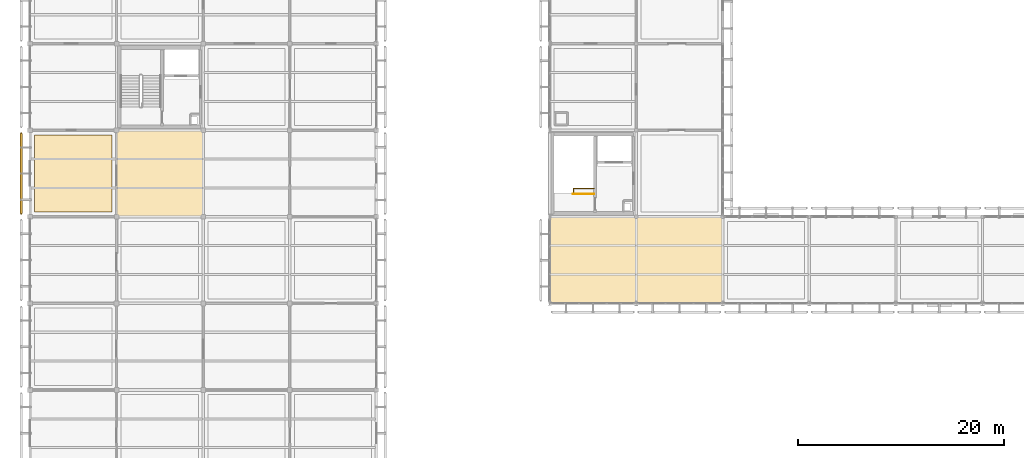
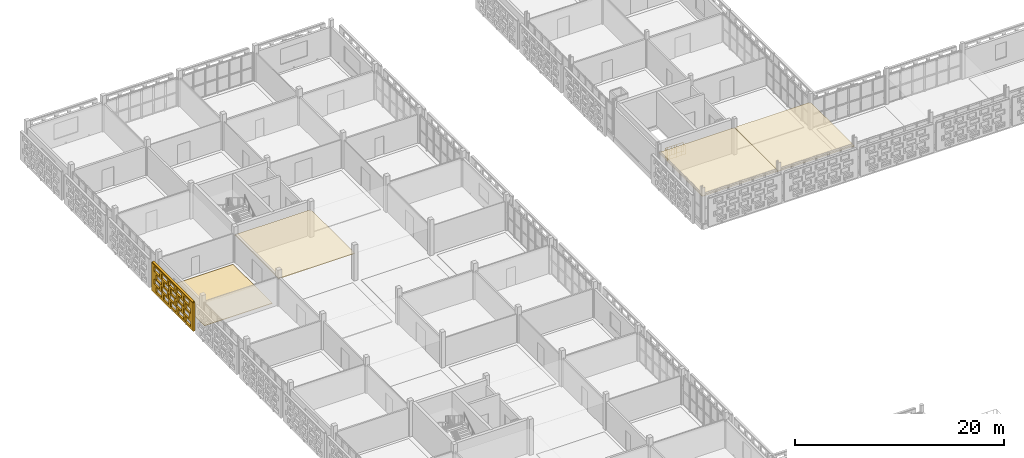
# One storey, part 110 of 140: 5 coverings, 2 railings, 1 shading device, 20 openings.
"""IFC4 building model written with IfcOpenShell, lengths in metres."""

from ifc_helpers import new_model, si_unit, direction, frame, frame_2d, origin, origin_2d, place, context, subcontext, project, spatial, rectangle, circle, extrude, material, layer, layer_set, type_object, element, save


model = new_model("IFC4")

# Units and contexts
model_context = context("Model", 3, precision=1e-05, world=origin(), true_north=direction((0.0, 1.0)))
body_context = subcontext(model_context, "Body", "Model", "MODEL_VIEW")
ifc_project = project(units=[si_unit("LENGTHUNIT", "METRE"), si_unit("AREAUNIT", "SQUARE_METRE"), si_unit("VOLUMEUNIT", "CUBIC_METRE"), si_unit("PLANEANGLEUNIT", "RADIAN"), si_unit("MASSUNIT", "GRAM", prefix="KILO")], contexts=[model_context])

# Site, building, storey
site_placement = place(None, origin())
site = spatial("IfcSite", under=ifc_project, at=site_placement, CompositionType="ELEMENT")
building_placement = place(site_placement, origin())
building = spatial("IfcBuilding", under=site, at=building_placement, Name="Varnapada Polytechnic", CompositionType="ELEMENT")
storey_placement = place(building_placement, frame((0.0, 0.0, 13.800048828125)))
storey = spatial("IfcBuildingStorey", under=building, at=storey_placement, Name="L03", CompositionType="ELEMENT", Elevation=13.800048828125)

# Covering
ifc_material_1 = material(Name="Anti-Static Raised Laboratory Flooring")
ifc_layer_1 = layer(ifc_material_1, 0.06005859375)
ifc_layer_set_1 = layer_set([ifc_layer_1], Name="Anti-Static Raised Laboratory Flooring")
covering_type_1 = type_object("IfcCoveringType", Name="Floor Finish FLR-02", PredefinedType="FLOORING", material=ifc_layer_set_1)
covering_1_placement = place(storey_placement, frame((4.199951171875, 96.60009765625, 0.0), z_axis=(0.0, 0.0, 1.0), x_axis=(1.0, 0.0, 0.0)))
element("IfcCovering", 1, at=covering_1_placement, inside=storey, type_object=covering_type_1, Name="L03 floor finish panel (1,12)", PredefinedType="FLOORING", context=body_context, shape_type="SweptSolid", body=[
    extrude(rectangle(XDim=7.5, YDim=7.5, at=origin_2d()), origin(), (0.0, 0.0, 1.0), 0.06005859375),
])

# Railings
ifc_material_2 = material(Name="Brushed Stainless Steel 316", Category="steel")
railing_type = type_object("IfcRailingType", Name="Stair Well Guard Rail SGR-01", PredefinedType="BALUSTRADE", material=ifc_material_2)
railing_1_placement = place(storey_placement, frame((54.699951171875, 94.60009765625, 0.0)))
element("IfcRailing", 2, at=railing_1_placement, inside=storey, type_object=railing_type, Name="L03 ST-4 top well guard 1", PredefinedType="BALUSTRADE", context=body_context, shape_type="SweptSolid", body=[
    extrude(circle(Radius=0.02392578125, at=origin_2d()), frame((0.0, 0.0, 1.09619140625), z_axis=(-1.0, 0.0, 0.0), x_axis=(0.0, -1.0, 0.0)), (0.0, 0.0, 1.0), 2.050048828125),
    extrude(circle(Radius=0.02392578125, at=origin_2d()), frame((0.0, 0.0, 0.10009765625), z_axis=(-1.0, 0.0, 0.0), x_axis=(0.0, -1.0, 0.0)), (0.0, 0.0, 1.0), 2.050048828125),
    extrude(circle(Radius=0.02099609375, at=origin_2d()), origin(), (0.0, 0.0, 1.0), 1.072021484375),
    extrude(circle(Radius=0.02099609375, at=origin_2d()), frame((-1.02490234375, 0.0, 0.0)), (0.0, 0.0, 1.0), 1.072021484375),
    extrude(circle(Radius=0.02099609375, at=origin_2d()), frame((-2.050048828125, 0.0, 0.0)), (0.0, 0.0, 1.0), 1.072021484375),
    extrude(circle(Radius=0.010009765625, at=origin_2d()), frame((-0.25634765625, 0.0, 0.10009765625)), (0.0, 0.0, 1.0), 0.971923828125),
    extrude(circle(Radius=0.010009765625, at=origin_2d()), frame((-0.512451171875, 0.0, 0.10009765625)), (0.0, 0.0, 1.0), 0.971923828125),
    extrude(circle(Radius=0.010009765625, at=origin_2d()), frame((-0.768798828125, 0.0, 0.10009765625)), (0.0, 0.0, 1.0), 0.971923828125),
    extrude(circle(Radius=0.010009765625, at=origin_2d()), frame((-1.02490234375, 0.0, 0.10009765625)), (0.0, 0.0, 1.0), 0.971923828125),
    extrude(circle(Radius=0.010009765625, at=origin_2d()), frame((-1.28125, 0.0, 0.10009765625)), (0.0, 0.0, 1.0), 0.971923828125),
    extrude(circle(Radius=0.010009765625, at=origin_2d()), frame((-1.53759765625, 0.0, 0.10009765625)), (0.0, 0.0, 1.0), 0.971923828125),
    extrude(circle(Radius=0.010009765625, at=origin_2d()), frame((-1.793701171875, 0.0, 0.10009765625)), (0.0, 0.0, 1.0), 0.971923828125),
])
railing_2_placement = place(storey_placement, frame((52.699951171875, 94.64990234375, 0.0)))
element("IfcRailing", 3, at=railing_2_placement, inside=storey, type_object=railing_type, Name="L03 C4 top stair-well guard", PredefinedType="BALUSTRADE", context=body_context, shape_type="SweptSolid", body=[
    extrude(circle(Radius=0.02392578125, at=origin_2d()), frame((0.0, 0.0, 1.09619140625), z_axis=(0.0, 1.0, 0.0), x_axis=(-1.0, 0.0, 0.0)), (0.0, 0.0, 1.0), 0.489990234375),
    extrude(circle(Radius=0.02392578125, at=origin_2d()), frame((0.0, 0.0, 0.10009765625), z_axis=(0.0, 1.0, 0.0), x_axis=(-1.0, 0.0, 0.0)), (0.0, 0.0, 1.0), 0.489990234375),
    extrude(circle(Radius=0.02392578125, at=origin_2d()), frame((0.0, 0.489990234375, 1.09619140625), z_axis=(1.0, 0.0, 0.0), x_axis=(0.0, 1.0, 0.0)), (0.0, 0.0, 1.0), 2.0),
    extrude(circle(Radius=0.02392578125, at=origin_2d()), frame((0.0, 0.489990234375, 0.10009765625), z_axis=(1.0, 0.0, 0.0), x_axis=(0.0, 1.0, 0.0)), (0.0, 0.0, 1.0), 2.0),
    extrude(circle(Radius=0.02099609375, at=origin_2d()), origin(), (0.0, 0.0, 1.0), 1.072021484375),
    extrude(circle(Radius=0.02099609375, at=origin_2d()), frame((0.0, 0.489990234375, 0.0)), (0.0, 0.0, 1.0), 1.072021484375),
    extrude(circle(Radius=0.02099609375, at=origin_2d()), frame((1.0, 0.489990234375, 0.0)), (0.0, 0.0, 1.0), 1.072021484375),
    extrude(circle(Radius=0.02099609375, at=origin_2d()), frame((2.0, 0.489990234375, 0.0)), (0.0, 0.0, 1.0), 1.072021484375),
    extrude(circle(Radius=0.010009765625, at=origin_2d()), frame((0.0, 0.2451171875, 0.10009765625)), (0.0, 0.0, 1.0), 0.971923828125),
    extrude(circle(Radius=0.010009765625, at=origin_2d()), frame((0.25, 0.489990234375, 0.10009765625)), (0.0, 0.0, 1.0), 0.971923828125),
    extrude(circle(Radius=0.010009765625, at=origin_2d()), frame((0.5, 0.489990234375, 0.10009765625)), (0.0, 0.0, 1.0), 0.971923828125),
    extrude(circle(Radius=0.010009765625, at=origin_2d()), frame((0.75, 0.489990234375, 0.10009765625)), (0.0, 0.0, 1.0), 0.971923828125),
    extrude(circle(Radius=0.010009765625, at=origin_2d()), frame((1.0, 0.489990234375, 0.10009765625)), (0.0, 0.0, 1.0), 0.971923828125),
    extrude(circle(Radius=0.010009765625, at=origin_2d()), frame((1.25, 0.489990234375, 0.10009765625)), (0.0, 0.0, 1.0), 0.971923828125),
    extrude(circle(Radius=0.010009765625, at=origin_2d()), frame((1.5, 0.489990234375, 0.10009765625)), (0.0, 0.0, 1.0), 0.971923828125),
    extrude(circle(Radius=0.010009765625, at=origin_2d()), frame((1.75, 0.489990234375, 0.10009765625)), (0.0, 0.0, 1.0), 0.971923828125),
])

# Coverings
ifc_material_3 = material(Name="Moisture-Resistant Aluminum Baffle Ceiling", Category="aluminium")
ifc_layer_2 = layer(ifc_material_3, 0.030029296875)
ifc_layer_set_2 = layer_set([ifc_layer_2], Name="Moisture-Resistant Aluminum Baffle Ceiling")
covering_type_2 = type_object("IfcCoveringType", Name="Suspended Ceiling CLG-03", PredefinedType="CEILING", material=ifc_layer_set_2)
covering_2_placement = place(storey_placement, frame((54.60009765625, 88.199951171875, 3.03515625), z_axis=(0.0, 0.0, 1.0), x_axis=(1.0, 0.0, 0.0)))
element("IfcCovering", 4, at=covering_2_placement, inside=storey, type_object=covering_type_2, Name="L03 suspended acoustic ceiling (7,11)", PredefinedType="CEILING", context=body_context, shape_type="SweptSolid", body=[
    extrude(rectangle(XDim=8.419921875, YDim=8.419921875, at=origin_2d()), origin(), (0.0, 0.0, 1.0), 0.030029296875),
])
ifc_material_4 = material(Name="Deep Acoustic Auditorium Cloud Baffle")
ifc_layer_3 = layer(ifc_material_4, 0.06494140625)
ifc_layer_set_3 = layer_set([ifc_layer_3], Name="Deep Acoustic Auditorium Cloud Baffle")
covering_type_3 = type_object("IfcCoveringType", Name="Suspended Ceiling CLG-07", PredefinedType="CEILING", material=ifc_layer_set_3)
for number, where, z_axis, x_axis, name in (
    (5, (12.60009765625, 96.60009765625, 3.017578125), (0.0, 0.0, 1.0), (1.0, 0.0, 0.0), "L03 suspended acoustic ceiling (2,12)"),
    (6, (63.0, 88.199951171875, 3.017578125), (0.0, 0.0, 1.0), (1.0, 0.0, 0.0), "L03 suspended acoustic ceiling (8,11)"),
):
    element("IfcCovering", number, at=place(storey_placement, frame(where, z_axis=z_axis, x_axis=x_axis)), inside=storey, type_object=covering_type_3, Name=name, PredefinedType="CEILING", context=body_context, shape_type="SweptSolid", body=[
        extrude(rectangle(XDim=8.419921875, YDim=8.419921875, at=origin_2d()), origin(), (0.0, 0.0, 1.0), 0.06494140625),
    ])

# Covering, openings
ifc_material_5 = material(Name="Earth-toned architectural terracotta screen block", Category="masonry")
ifc_layer_4 = layer(ifc_material_5, 0.1201171875)
ifc_layer_set_4 = layer_set([ifc_layer_4], Name="Earth-toned architectural terracotta screen block")
covering_type_4 = type_object("IfcCoveringType", Name="Terracotta Screen Cladding CLD-01", PredefinedType="CLADDING", material=ifc_layer_set_4)
covering_3_placement = place(storey_placement, frame((-0.85009765625, 92.6201171875, 0.0), z_axis=(0.0, 0.0, 1.0), x_axis=(0.0, 1.0, 0.0)))
covering_3 = element("IfcCovering", 7, at=covering_3_placement, inside=storey, type_object=covering_type_4, Name="L03 perforated terracotta block screen (8)", PredefinedType="CLADDING", context=body_context, shape_type="SweptSolid", body=[
    extrude(rectangle(XDim=7.949951171875, YDim=0.179931640625, at=frame_2d((3.97509765625, 0.0))), origin(), (0.0, 0.0, 1.0), 3.320068359375),
])
opening_1_placement = place(covering_3_placement, frame((0.47509765625, 0.0, 0.265625)))
element("IfcOpeningElement", 8, at=opening_1_placement, cuts=covering_3, Name="Screen perforation TBS-L03-007.1", PredefinedType="OPENING", context=body_context, shape_type="SweptSolid", body=[
    extrude(rectangle(XDim=1.0400390625, YDim=0.5810546875, at=frame_2d((0.52001953125, 0.29052734375))), frame((0.0, 0.099853515625, 0.0), z_axis=(0.0, -1.0, 0.0), x_axis=(1.0, 0.0, 0.0)), (0.0, 0.0, 1.0), 0.199951171875),
])
opening_2_placement = place(covering_3_placement, frame((1.875, 0.0, 0.265625)))
element("IfcOpeningElement", 9, at=opening_2_placement, cuts=covering_3, Name="Screen perforation TBS-L03-007.2", PredefinedType="OPENING", context=body_context, shape_type="SweptSolid", body=[
    extrude(rectangle(XDim=1.0400390625, YDim=0.5810546875, at=frame_2d((0.52001953125, 0.29052734375))), frame((0.0, 0.099853515625, 0.0), z_axis=(0.0, -1.0, 0.0), x_axis=(1.0, 0.0, 0.0)), (0.0, 0.0, 1.0), 0.199951171875),
])
opening_3_placement = place(covering_3_placement, frame((3.27490234375, 0.0, 0.265625)))
element("IfcOpeningElement", 10, at=opening_3_placement, cuts=covering_3, Name="Screen perforation TBS-L03-007.3", PredefinedType="OPENING", context=body_context, shape_type="SweptSolid", body=[
    extrude(rectangle(XDim=1.0400390625, YDim=0.5810546875, at=frame_2d((0.52001953125, 0.29052734375))), frame((0.0, 0.099853515625, 0.0), z_axis=(0.0, -1.0, 0.0), x_axis=(1.0, 0.0, 0.0)), (0.0, 0.0, 1.0), 0.199951171875),
])
opening_4_placement = place(covering_3_placement, frame((4.675048828125, 0.0, 0.265625)))
element("IfcOpeningElement", 11, at=opening_4_placement, cuts=covering_3, Name="Screen perforation TBS-L03-007.4", PredefinedType="OPENING", context=body_context, shape_type="SweptSolid", body=[
    extrude(rectangle(XDim=1.0400390625, YDim=0.5810546875, at=frame_2d((0.52001953125, 0.29052734375))), frame((0.0, 0.099853515625, 0.0), z_axis=(0.0, -1.0, 0.0), x_axis=(1.0, 0.0, 0.0)), (0.0, 0.0, 1.0), 0.199951171875),
])
opening_5_placement = place(covering_3_placement, frame((6.074951171875, 0.0, 0.265625)))
element("IfcOpeningElement", 12, at=opening_5_placement, cuts=covering_3, Name="Screen perforation TBS-L03-007.5", PredefinedType="OPENING", context=body_context, shape_type="SweptSolid", body=[
    extrude(rectangle(XDim=1.0400390625, YDim=0.5810546875, at=frame_2d((0.52001953125, 0.29052734375))), frame((0.0, 0.099853515625, 0.0), z_axis=(0.0, -1.0, 0.0), x_axis=(1.0, 0.0, 0.0)), (0.0, 0.0, 1.0), 0.199951171875),
])
opening_6_placement = place(covering_3_placement, frame((0.8349609375, 0.0, 1.0126953125)))
element("IfcOpeningElement", 13, at=opening_6_placement, cuts=covering_3, Name="Screen perforation TBS-L03-007.6", PredefinedType="OPENING", context=body_context, shape_type="SweptSolid", body=[
    extrude(rectangle(XDim=1.0400390625, YDim=0.5810546875, at=frame_2d((0.52001953125, 0.29052734375))), frame((0.0, 0.099853515625, 0.0), z_axis=(0.0, -1.0, 0.0), x_axis=(1.0, 0.0, 0.0)), (0.0, 0.0, 1.0), 0.199951171875),
])
opening_7_placement = place(covering_3_placement, frame((2.235107421875, 0.0, 1.0126953125)))
element("IfcOpeningElement", 14, at=opening_7_placement, cuts=covering_3, Name="Screen perforation TBS-L03-007.7", PredefinedType="OPENING", context=body_context, shape_type="SweptSolid", body=[
    extrude(rectangle(XDim=1.0400390625, YDim=0.5810546875, at=frame_2d((0.52001953125, 0.29052734375))), frame((0.0, 0.099853515625, 0.0), z_axis=(0.0, -1.0, 0.0), x_axis=(1.0, 0.0, 0.0)), (0.0, 0.0, 1.0), 0.199951171875),
])
opening_8_placement = place(covering_3_placement, frame((3.635009765625, 0.0, 1.0126953125)))
element("IfcOpeningElement", 15, at=opening_8_placement, cuts=covering_3, Name="Screen perforation TBS-L03-007.8", PredefinedType="OPENING", context=body_context, shape_type="SweptSolid", body=[
    extrude(rectangle(XDim=1.0400390625, YDim=0.5810546875, at=frame_2d((0.52001953125, 0.29052734375))), frame((0.0, 0.099853515625, 0.0), z_axis=(0.0, -1.0, 0.0), x_axis=(1.0, 0.0, 0.0)), (0.0, 0.0, 1.0), 0.199951171875),
])
opening_9_placement = place(covering_3_placement, frame((5.034912109375, 0.0, 1.0126953125)))
element("IfcOpeningElement", 16, at=opening_9_placement, cuts=covering_3, Name="Screen perforation TBS-L03-007.9", PredefinedType="OPENING", context=body_context, shape_type="SweptSolid", body=[
    extrude(rectangle(XDim=1.0400390625, YDim=0.5810546875, at=frame_2d((0.52001953125, 0.29052734375))), frame((0.0, 0.099853515625, 0.0), z_axis=(0.0, -1.0, 0.0), x_axis=(1.0, 0.0, 0.0)), (0.0, 0.0, 1.0), 0.199951171875),
])
opening_10_placement = place(covering_3_placement, frame((6.43505859375, 0.0, 1.0126953125)))
element("IfcOpeningElement", 17, at=opening_10_placement, cuts=covering_3, Name="Screen perforation TBS-L03-007.10", PredefinedType="OPENING", context=body_context, shape_type="SweptSolid", body=[
    extrude(rectangle(XDim=1.0400390625, YDim=0.5810546875, at=frame_2d((0.52001953125, 0.29052734375))), frame((0.0, 0.099853515625, 0.0), z_axis=(0.0, -1.0, 0.0), x_axis=(1.0, 0.0, 0.0)), (0.0, 0.0, 1.0), 0.199951171875),
])
opening_11_placement = place(covering_3_placement, frame((0.47509765625, 0.0, 1.759521484375)))
element("IfcOpeningElement", 18, at=opening_11_placement, cuts=covering_3, Name="Screen perforation TBS-L03-007.11", PredefinedType="OPENING", context=body_context, shape_type="SweptSolid", body=[
    extrude(rectangle(XDim=1.0400390625, YDim=0.5810546875, at=frame_2d((0.52001953125, 0.29052734375))), frame((0.0, 0.099853515625, 0.0), z_axis=(0.0, -1.0, 0.0), x_axis=(1.0, 0.0, 0.0)), (0.0, 0.0, 1.0), 0.199951171875),
])
opening_12_placement = place(covering_3_placement, frame((1.875, 0.0, 1.759521484375)))
element("IfcOpeningElement", 19, at=opening_12_placement, cuts=covering_3, Name="Screen perforation TBS-L03-007.12", PredefinedType="OPENING", context=body_context, shape_type="SweptSolid", body=[
    extrude(rectangle(XDim=1.0400390625, YDim=0.5810546875, at=frame_2d((0.52001953125, 0.29052734375))), frame((0.0, 0.099853515625, 0.0), z_axis=(0.0, -1.0, 0.0), x_axis=(1.0, 0.0, 0.0)), (0.0, 0.0, 1.0), 0.199951171875),
])
opening_13_placement = place(covering_3_placement, frame((3.27490234375, 0.0, 1.759521484375)))
element("IfcOpeningElement", 20, at=opening_13_placement, cuts=covering_3, Name="Screen perforation TBS-L03-007.13", PredefinedType="OPENING", context=body_context, shape_type="SweptSolid", body=[
    extrude(rectangle(XDim=1.0400390625, YDim=0.5810546875, at=frame_2d((0.52001953125, 0.29052734375))), frame((0.0, 0.099853515625, 0.0), z_axis=(0.0, -1.0, 0.0), x_axis=(1.0, 0.0, 0.0)), (0.0, 0.0, 1.0), 0.199951171875),
])
opening_14_placement = place(covering_3_placement, frame((4.675048828125, 0.0, 1.759521484375)))
element("IfcOpeningElement", 21, at=opening_14_placement, cuts=covering_3, Name="Screen perforation TBS-L03-007.14", PredefinedType="OPENING", context=body_context, shape_type="SweptSolid", body=[
    extrude(rectangle(XDim=1.0400390625, YDim=0.5810546875, at=frame_2d((0.52001953125, 0.29052734375))), frame((0.0, 0.099853515625, 0.0), z_axis=(0.0, -1.0, 0.0), x_axis=(1.0, 0.0, 0.0)), (0.0, 0.0, 1.0), 0.199951171875),
])
opening_15_placement = place(covering_3_placement, frame((6.074951171875, 0.0, 1.759521484375)))
element("IfcOpeningElement", 22, at=opening_15_placement, cuts=covering_3, Name="Screen perforation TBS-L03-007.15", PredefinedType="OPENING", context=body_context, shape_type="SweptSolid", body=[
    extrude(rectangle(XDim=1.0400390625, YDim=0.5810546875, at=frame_2d((0.52001953125, 0.29052734375))), frame((0.0, 0.099853515625, 0.0), z_axis=(0.0, -1.0, 0.0), x_axis=(1.0, 0.0, 0.0)), (0.0, 0.0, 1.0), 0.199951171875),
])
opening_16_placement = place(covering_3_placement, frame((0.8349609375, 0.0, 2.506591796875)))
element("IfcOpeningElement", 23, at=opening_16_placement, cuts=covering_3, Name="Screen perforation TBS-L03-007.16", PredefinedType="OPENING", context=body_context, shape_type="SweptSolid", body=[
    extrude(rectangle(XDim=1.0400390625, YDim=0.5810546875, at=frame_2d((0.52001953125, 0.29052734375))), frame((0.0, 0.099853515625, 0.0), z_axis=(0.0, -1.0, 0.0), x_axis=(1.0, 0.0, 0.0)), (0.0, 0.0, 1.0), 0.199951171875),
])
opening_17_placement = place(covering_3_placement, frame((2.235107421875, 0.0, 2.506591796875)))
element("IfcOpeningElement", 24, at=opening_17_placement, cuts=covering_3, Name="Screen perforation TBS-L03-007.17", PredefinedType="OPENING", context=body_context, shape_type="SweptSolid", body=[
    extrude(rectangle(XDim=1.0400390625, YDim=0.5810546875, at=frame_2d((0.52001953125, 0.29052734375))), frame((0.0, 0.099853515625, 0.0), z_axis=(0.0, -1.0, 0.0), x_axis=(1.0, 0.0, 0.0)), (0.0, 0.0, 1.0), 0.199951171875),
])
opening_18_placement = place(covering_3_placement, frame((3.635009765625, 0.0, 2.506591796875)))
element("IfcOpeningElement", 25, at=opening_18_placement, cuts=covering_3, Name="Screen perforation TBS-L03-007.18", PredefinedType="OPENING", context=body_context, shape_type="SweptSolid", body=[
    extrude(rectangle(XDim=1.0400390625, YDim=0.5810546875, at=frame_2d((0.52001953125, 0.29052734375))), frame((0.0, 0.099853515625, 0.0), z_axis=(0.0, -1.0, 0.0), x_axis=(1.0, 0.0, 0.0)), (0.0, 0.0, 1.0), 0.199951171875),
])
opening_19_placement = place(covering_3_placement, frame((5.034912109375, 0.0, 2.506591796875)))
element("IfcOpeningElement", 26, at=opening_19_placement, cuts=covering_3, Name="Screen perforation TBS-L03-007.19", PredefinedType="OPENING", context=body_context, shape_type="SweptSolid", body=[
    extrude(rectangle(XDim=1.0400390625, YDim=0.5810546875, at=frame_2d((0.52001953125, 0.29052734375))), frame((0.0, 0.099853515625, 0.0), z_axis=(0.0, -1.0, 0.0), x_axis=(1.0, 0.0, 0.0)), (0.0, 0.0, 1.0), 0.199951171875),
])
opening_20_placement = place(covering_3_placement, frame((6.43505859375, 0.0, 2.506591796875)))
element("IfcOpeningElement", 27, at=opening_20_placement, cuts=covering_3, Name="Screen perforation TBS-L03-007.20", PredefinedType="OPENING", context=body_context, shape_type="SweptSolid", body=[
    extrude(rectangle(XDim=1.0400390625, YDim=0.5810546875, at=frame_2d((0.52001953125, 0.29052734375))), frame((0.0, 0.099853515625, 0.0), z_axis=(0.0, -1.0, 0.0), x_axis=(1.0, 0.0, 0.0)), (0.0, 0.0, 1.0), 0.199951171875),
])

# Shading device
ifc_layer_5 = layer(ifc_material_5, 0.179931640625)
ifc_layer_set_5 = layer_set([ifc_layer_5], Name="Earth-toned architectural terracotta screen block")
shading_device_type = type_object("IfcShadingDeviceType", Name="Terracotta Screen SCR-01", PredefinedType="USERDEFINED", material=ifc_layer_set_5)
shading_device_placement = place(storey_placement, frame((-0.85009765625, 96.594970703125, 3.309814453125), z_axis=(0.0, 0.0, 1.0), x_axis=(0.0, 1.0, 0.0)))
element("IfcShadingDevice", 28, at=shading_device_placement, inside=storey, type_object=shading_device_type, Name="L03 perforated terracotta screen hood 343", ObjectType="SCREEN", PredefinedType="USERDEFINED", context=body_context, shape_type="SweptSolid", body=[
    extrude(rectangle(XDim=7.75, YDim=0.239990234375, at=origin_2d()), origin(), (0.0, 0.0, 1.0), 0.10009765625),
])

save(model, "model.ifc")
